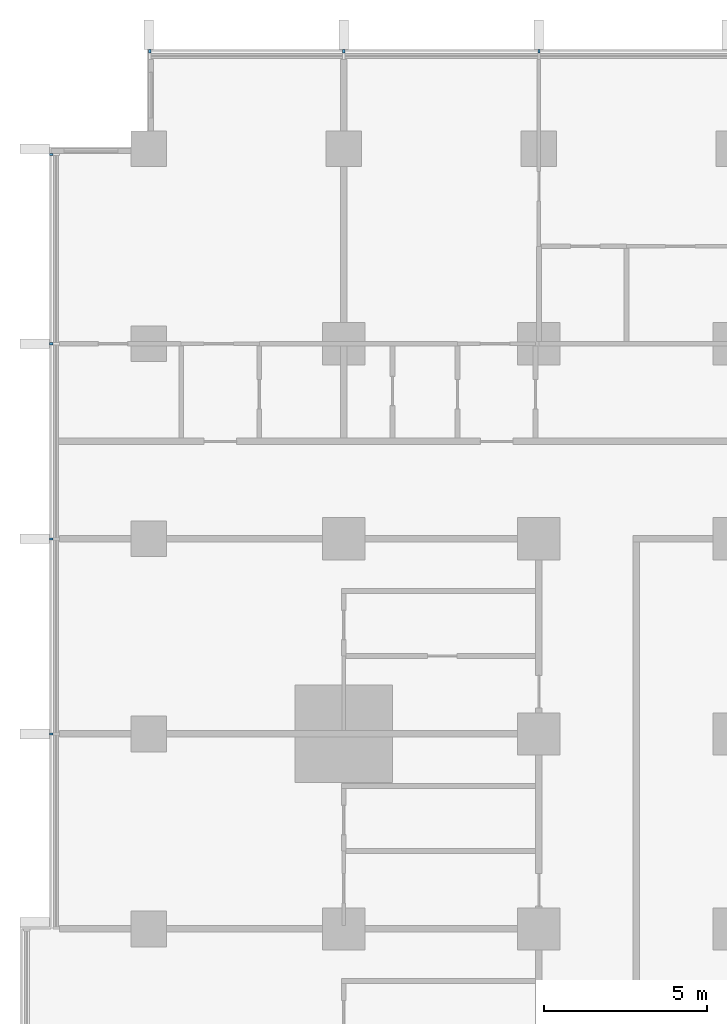
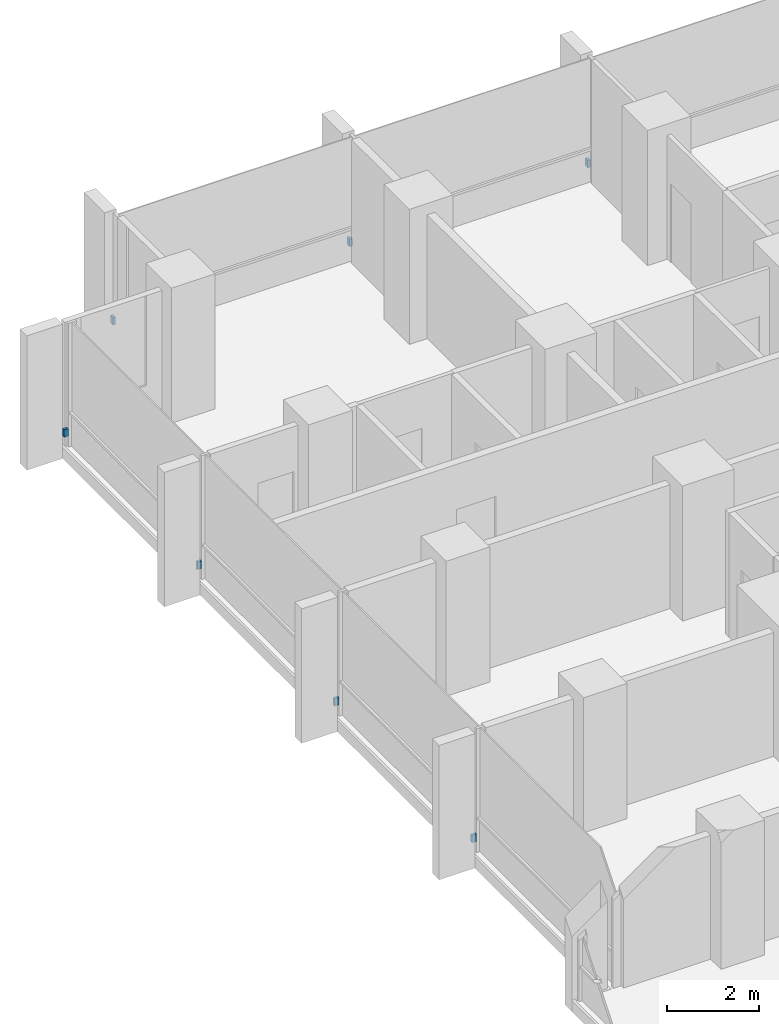
# One storey, part 15 of 17: 7 discrete accessories.
"""IFC4 building model written with IfcOpenShell, lengths in metres."""

from ifc_helpers import new_model, si_unit, direction, frame, origin, origin_2d, place, context, subcontext, project, spatial, rectangle, extrude, material, type_object, element, save


model = new_model("IFC4")

# Units and contexts
model_context = context("Model", 3, precision=1e-05, world=origin(), true_north=direction((0.0, 1.0)))
body_context = subcontext(model_context, "Body", "Model", "MODEL_VIEW")
ifc_project = project(units=[si_unit("LENGTHUNIT", "METRE"), si_unit("AREAUNIT", "SQUARE_METRE"), si_unit("VOLUMEUNIT", "CUBIC_METRE"), si_unit("PLANEANGLEUNIT", "RADIAN"), si_unit("MASSUNIT", "GRAM", prefix="KILO")], contexts=[model_context])

# Site, building, storey
site_placement = place(None, origin())
site = spatial("IfcSite", under=ifc_project, at=site_placement, CompositionType="ELEMENT")
building_placement = place(site_placement, origin())
building = spatial("IfcBuilding", under=site, at=building_placement, Name="Finial Court Residences", CompositionType="ELEMENT")
storey_placement = place(building_placement, frame((0.0, 0.0, 64.89990234375)))
storey = spatial("IfcBuildingStorey", under=building, at=storey_placement, Name="L15", CompositionType="ELEMENT", Elevation=64.89990234375)

# Discrete accessories
ifc_material = material(Name="Stainless steel 316", Category="steel")
discrete_accessory_type = type_object("IfcDiscreteAccessoryType", Name="Fin bracket, stainless steel 65 x 110 x 200", PredefinedType="BRACKET", material=ifc_material)
for number, where, z_axis, x_axis, name in (
    (1, (-22.467529296875, 28.5048828125, 0.30029296875), (0.0, 0.0, 1.0), (1.0, 0.0, 0.0), "E-L15-FIN-N1-BRK"),
    (2, (-16.5, 28.5048828125, 0.30029296875), (0.0, 0.0, 1.0), (1.0, 0.0, 0.0), "E-L15-FIN-N2-BRK"),
    (3, (-10.5, 28.5048828125, 0.30029296875), (0.0, 0.0, 1.0), (1.0, 0.0, 0.0), "E-L15-FIN-N3-BRK"),
):
    element("IfcDiscreteAccessory", number, at=place(storey_placement, frame(where, z_axis=z_axis, x_axis=x_axis)), inside=storey, type_object=discrete_accessory_type, Name=name, PredefinedType="BRACKET", context=body_context, shape_type="SweptSolid", body=[
        extrude(rectangle(XDim=0.06494140625, YDim=0.110107421875, at=origin_2d()), origin(), (0.0, 0.0, 1.0), 0.199951171875),
    ])
for number, where, z_axis, x_axis, name in (
    (4, (-25.5048828125, 7.5, 0.30029296875), (0.0, 0.0, 1.0), (1.0, 0.0, 0.0), "E-L15-FIN-W31-BRK"),
    (5, (-25.5048828125, 13.5, 0.30029296875), (0.0, 0.0, 1.0), (1.0, 0.0, 0.0), "E-L15-FIN-W32-BRK"),
    (6, (-25.5048828125, 19.5, 0.30029296875), (0.0, 0.0, 1.0), (1.0, 0.0, 0.0), "E-L15-FIN-W33-BRK"),
    (7, (-25.5048828125, 25.3173828125, 0.30029296875), (0.0, 0.0, 1.0), (1.0, 0.0, 0.0), "E-L15-FIN-W34-BRK"),
):
    element("IfcDiscreteAccessory", number, at=place(storey_placement, frame(where, z_axis=z_axis, x_axis=x_axis)), inside=storey, type_object=discrete_accessory_type, Name=name, PredefinedType="BRACKET", context=body_context, shape_type="SweptSolid", body=[
        extrude(rectangle(XDim=0.110107421875, YDim=0.06494140625, at=origin_2d()), origin(), (0.0, 0.0, 1.0), 0.199951171875),
    ])

save(model, "model.ifc")
